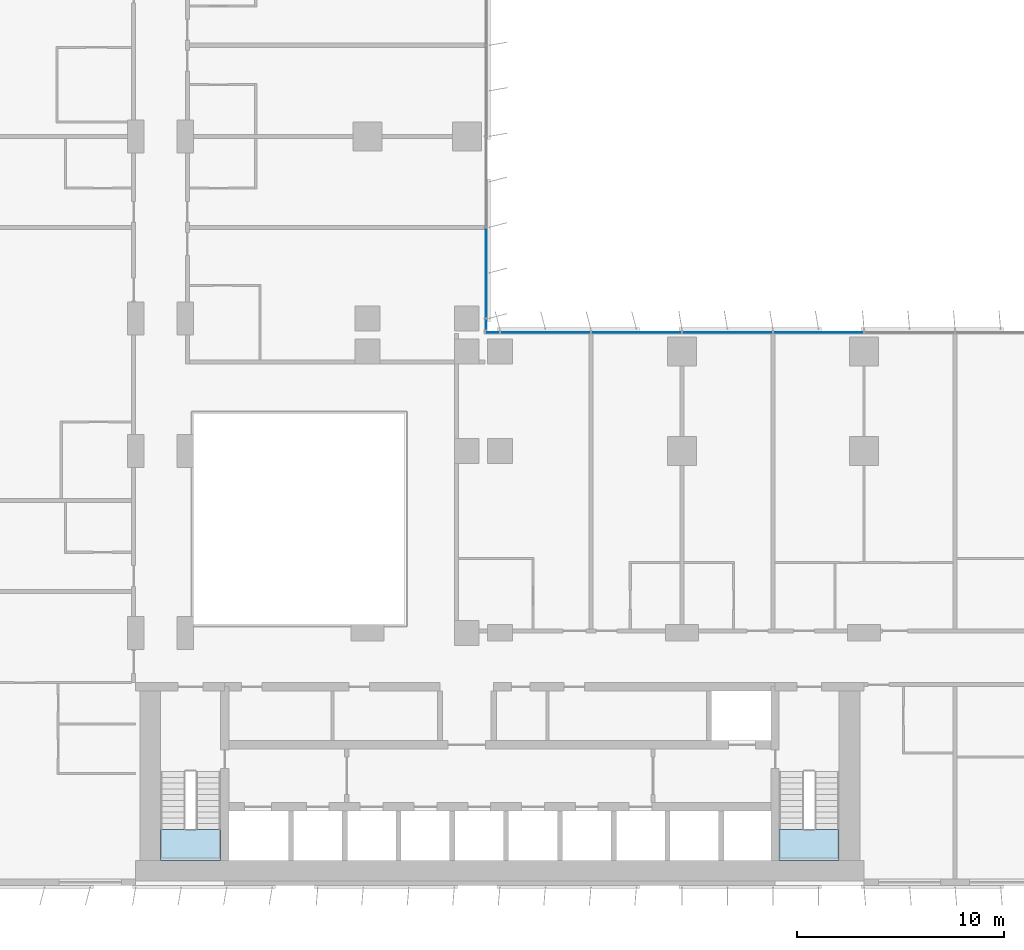
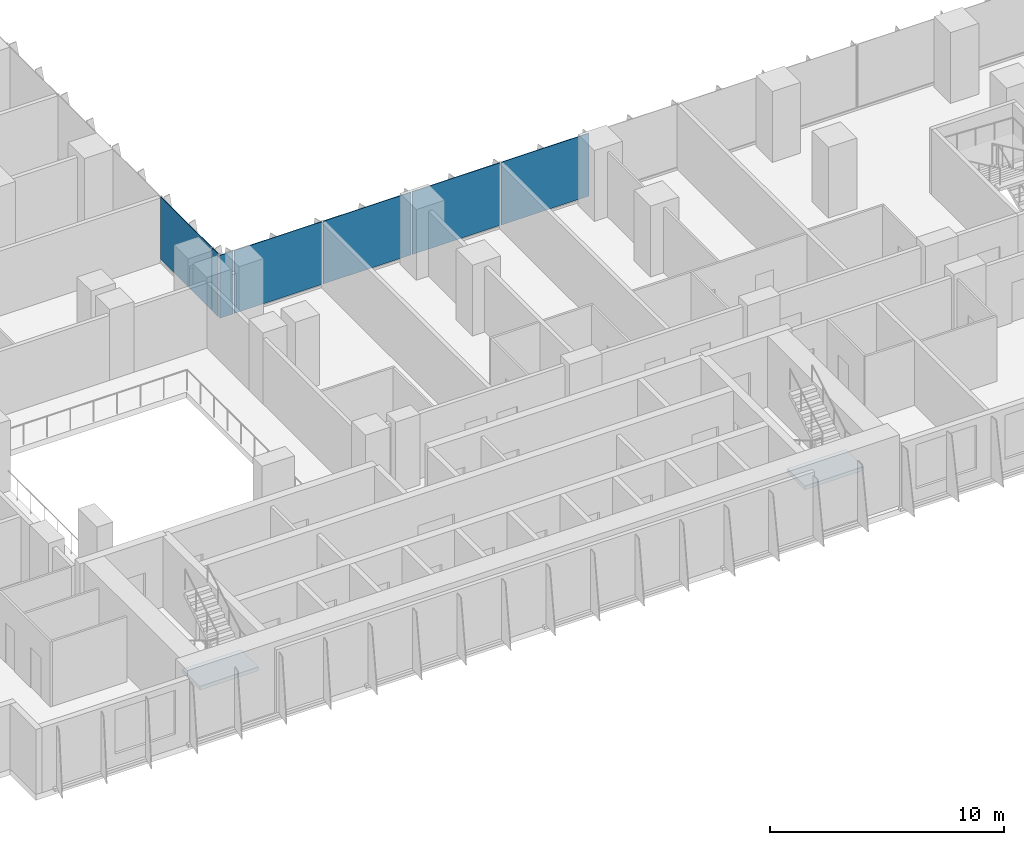
# One storey, part 10 of 24: 7 plates, 2 slabs, 4 elements without a shape of their own.
"""IFC4 building model written with IfcOpenShell, lengths in metres."""

from ifc_helpers import new_model, si_unit, direction, frame, origin, origin_2d, place, context, subcontext, project, spatial, polyline, rectangle, outline, extrude, source, transform, mapped, material, layer, layer_set, type_object, element, aggregate, save


model = new_model("IFC4")

# Units and contexts
model_context = context("Model", 3, precision=1e-05, world=origin(), true_north=direction((0.0, 1.0)))
body_context = subcontext(model_context, "Body", "Model", "MODEL_VIEW")
ifc_project = project(units=[si_unit("LENGTHUNIT", "METRE"), si_unit("AREAUNIT", "SQUARE_METRE"), si_unit("VOLUMEUNIT", "CUBIC_METRE"), si_unit("PLANEANGLEUNIT", "RADIAN"), si_unit("MASSUNIT", "GRAM", prefix="KILO")], contexts=[model_context])

# Site, building, storey
site_placement = place(None, origin())
site = spatial("IfcSite", under=ifc_project, at=site_placement, CompositionType="ELEMENT")
building_placement = place(site_placement, origin())
building = spatial("IfcBuilding", under=site, at=building_placement, Name="Kemantara Hotel Tower", CompositionType="ELEMENT")
storey_placement = place(building_placement, frame((0.0, 0.0, 56.199951171875)))
storey = spatial("IfcBuildingStorey", under=building, at=storey_placement, Name="L12", CompositionType="ELEMENT", Elevation=56.199951171875)

# Stair, slab
ifc_material_1 = material(Name="Concrete fc 40 MPa", Category="concrete")
stair_type = type_object("IfcStairType", Name="Stair 1200 wide 22 risers of 168 x 280 mm", PredefinedType="HALF_TURN_STAIR", material=ifc_material_1)
stair_1_placement = place(storey_placement, origin())
stair_1 = element("IfcStair", 1, at=stair_1_placement, inside=storey, type_object=stair_type, Name="L12 Exit stair ST1", PredefinedType="HALF_TURN_STAIR")
ifc_layer_1 = layer(ifc_material_1, 0.199951171875)
ifc_layer_set_1 = layer_set([ifc_layer_1], Name="Concrete fc 40 MPa")
slab_type = type_object("IfcSlabType", Name="Stair landing 200 mm", PredefinedType="LANDING", material=ifc_layer_set_1)
slab_1_placement = place(storey_placement, frame((0.0, 0.0, 1.650146484375)))
slab_1 = element("IfcSlab", 2, at=slab_1_placement, type_object=slab_type, Name="ST1 landing 1", PredefinedType="LANDING", context=body_context, shape_type="SweptSolid", body=[
    extrude(outline(polyline([(11.0, 2.699951171875), (11.0, 1.199951171875), (13.89990234375, 1.199951171875), (13.89990234375, 2.699951171875), (11.0, 2.699951171875)])), origin(), (0.0, 0.0, 1.0), 0.199951171875),
])
aggregate(stair_1, [slab_1])

stair_2_placement = place(storey_placement, origin())
stair_2 = element("IfcStair", 3, at=stair_2_placement, inside=storey, type_object=stair_type, Name="L12 Exit stair ST2", PredefinedType="HALF_TURN_STAIR")
slab_2_placement = place(storey_placement, frame((0.0, 0.0, 1.650146484375)))
slab_2 = element("IfcSlab", 4, at=slab_2_placement, type_object=slab_type, Name="ST2 landing 1", PredefinedType="LANDING", context=body_context, shape_type="SweptSolid", body=[
    extrude(outline(polyline([(40.89990234375, 2.699951171875), (40.89990234375, 1.199951171875), (43.800048828125, 1.199951171875), (43.800048828125, 2.699951171875), (40.89990234375, 2.699951171875)])), origin(), (0.0, 0.0, 1.0), 0.199951171875),
])
aggregate(stair_2, [slab_2])

# Curtain wall, plates
ifc_material_2 = material(Name="Low-E tinted double insulated glass 36 mm", Category="glass")
curtain_wall_type = type_object("IfcCurtainWallType", Name="TOWER CURTAIN WALL, FRONT FACES", PredefinedType="USERDEFINED", material=ifc_material_2)
curtain_wall_1_placement = place(storey_placement, origin())
curtain_wall_1 = element("IfcCurtainWall", 5, at=curtain_wall_1_placement, inside=storey, type_object=curtain_wall_type, Name="CW4 L12 T1-R07-1", ObjectType="TOWER CURTAIN WALL, FRONT FACES", PredefinedType="USERDEFINED")
ifc_layer_2 = layer(ifc_material_2, 0.035888671875)
ifc_layer_set_2 = layer_set([ifc_layer_2], Name="Low-E tinted double insulated glass 36 mm")
plate_type = type_object("IfcPlateType", Name="TOWER CURTAIN WALL, FRONT FACES PANEL", PredefinedType="CURTAIN_PANEL", material=ifc_layer_set_2)
shared_shape_1 = source(origin(), body_context, "Body", "SweptSolid", [
    extrude(rectangle(XDim=4.340087890625, YDim=0.035888671875, at=origin_2d()), origin(), (0.0, 0.0, 1.0), 3.280029296875),
])
plate_1_placement = place(storey_placement, frame((42.800048828125, 26.72509765625, 0.1201171875), z_axis=(0.0, 0.0, 1.0), x_axis=(-1.0, 0.0, 0.0)))
plate_1 = element("IfcPlate", 6, at=plate_1_placement, type_object=plate_type, Name="CW4 glass panel T1-R07-1.9", PredefinedType="CURTAIN_PANEL", context=body_context, shape_type="MappedRepresentation", body=[
    mapped(shared_shape_1, transform((0.0, 0.0, 0.0))),
])
plate_2_placement = place(storey_placement, frame((38.39990234375, 26.72509765625, 0.1201171875), z_axis=(0.0, 0.0, 1.0), x_axis=(-1.0, 0.0, 0.0)))
plate_2 = element("IfcPlate", 7, at=plate_2_placement, type_object=plate_type, Name="CW4 glass panel T1-R07-1.10", PredefinedType="CURTAIN_PANEL", context=body_context, shape_type="MappedRepresentation", body=[
    mapped(shared_shape_1, transform((0.0, 0.0, 0.0))),
])
plate_3_placement = place(storey_placement, frame((34.0, 26.72509765625, 0.1201171875), z_axis=(0.0, 0.0, 1.0), x_axis=(-1.0, 0.0, 0.0)))
plate_3 = element("IfcPlate", 8, at=plate_3_placement, type_object=plate_type, Name="CW4 glass panel T1-R07-1.11", PredefinedType="CURTAIN_PANEL", context=body_context, shape_type="MappedRepresentation", body=[
    mapped(shared_shape_1, transform((0.0, 0.0, 0.0))),
])
plate_4_placement = place(storey_placement, frame((29.60009765625, 26.72509765625, 0.1201171875), z_axis=(0.0, 0.0, 1.0), x_axis=(-1.0, 0.0, 0.0)))
plate_4 = element("IfcPlate", 9, at=plate_4_placement, type_object=plate_type, Name="CW4 glass panel T1-R07-1.12", PredefinedType="CURTAIN_PANEL", context=body_context, shape_type="MappedRepresentation", body=[
    mapped(shared_shape_1, transform((0.0, 0.0, 0.0))),
])

# Curtain wall, plate
curtain_wall_2_placement = place(storey_placement, origin())
curtain_wall_2 = element("IfcCurtainWall", 10, at=curtain_wall_2_placement, inside=storey, type_object=curtain_wall_type, Name="CW4 L12 T1-R08-1", ObjectType="TOWER CURTAIN WALL, FRONT FACES", PredefinedType="USERDEFINED")
plate_5_placement = place(storey_placement, frame((26.72509765625, 29.60009765625, 0.1201171875), z_axis=(0.0, 0.0, 1.0), x_axis=(0.0, 1.0, 0.0)))
plate_5 = element("IfcPlate", 11, at=plate_5_placement, type_object=plate_type, Name="CW4 glass panel T1-R08-1.2", PredefinedType="CURTAIN_PANEL", context=body_context, shape_type="MappedRepresentation", body=[
    mapped(shared_shape_1, transform((0.0, 0.0, 0.0))),
])

# Plate
shared_shape_2 = source(origin(), body_context, "Body", "SweptSolid", [
    extrude(rectangle(XDim=0.659912109375, YDim=0.035888671875, at=origin_2d()), origin(), (0.0, 0.0, 1.0), 3.280029296875),
])
plate_6_placement = place(storey_placement, frame((27.0400390625, 26.72509765625, 0.1201171875), z_axis=(0.0, 0.0, 1.0), x_axis=(-1.0, 0.0, 0.0)))
plate_6 = element("IfcPlate", 12, at=plate_6_placement, type_object=plate_type, Name="CW4 glass panel T1-R07-1.13", PredefinedType="CURTAIN_PANEL", context=body_context, shape_type="MappedRepresentation", body=[
    mapped(shared_shape_2, transform((0.0, 0.0, 0.0))),
])

aggregate(curtain_wall_1, [plate_1, plate_2, plate_3, plate_4, plate_6])

shared_shape_3 = source(origin(), body_context, "Body", "SweptSolid", [
    extrude(rectangle(XDim=0.510009765625, YDim=0.035888671875, at=origin_2d()), origin(), (0.0, 0.0, 1.0), 3.280029296875),
])
plate_7_placement = place(storey_placement, frame((26.72509765625, 27.114990234375, 0.1201171875), z_axis=(0.0, 0.0, 1.0), x_axis=(0.0, 1.0, 0.0)))
plate_7 = element("IfcPlate", 13, at=plate_7_placement, type_object=plate_type, Name="CW4 glass panel T1-R08-1.1", PredefinedType="CURTAIN_PANEL", context=body_context, shape_type="MappedRepresentation", body=[
    mapped(shared_shape_3, transform((0.0, 0.0, 0.0))),
])

aggregate(curtain_wall_2, [plate_7, plate_5])

save(model, "model.ifc")
